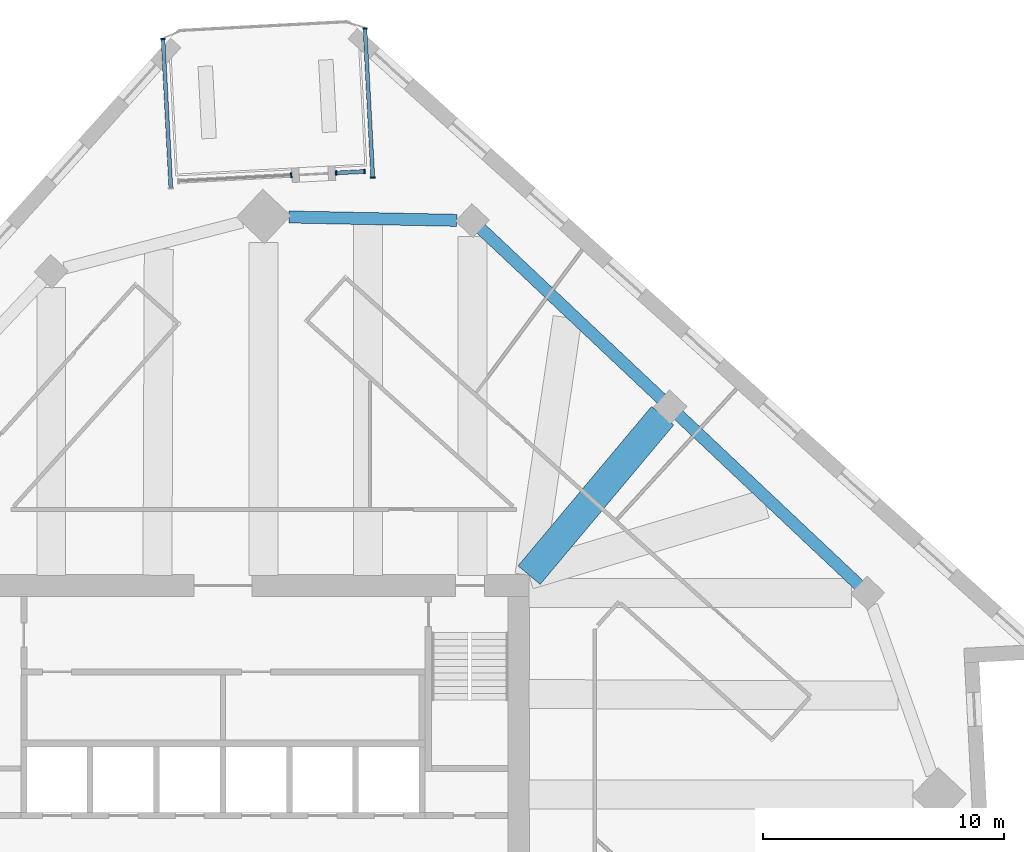
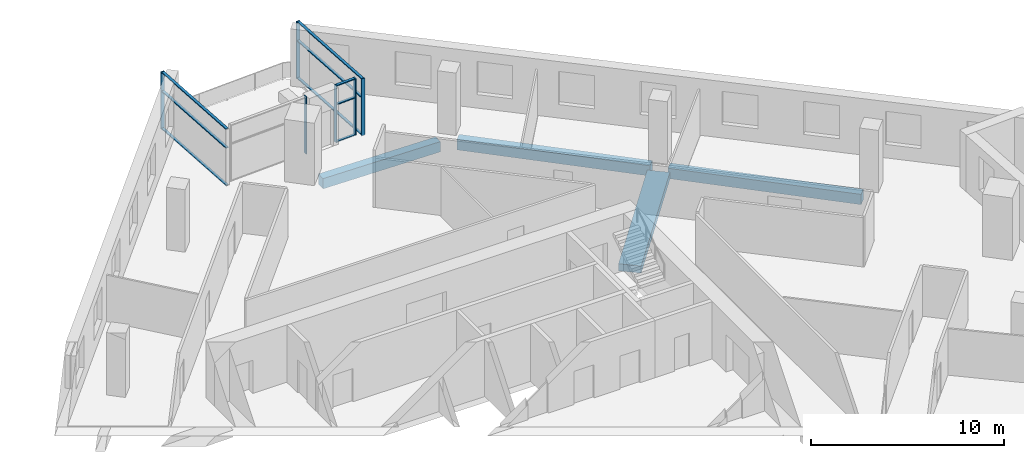
# One storey, part 4 of 12: 15 members, 4 beams, 4 elements without a shape of their own.
"""IFC4 building model written with IfcOpenShell, lengths in metres."""

from ifc_helpers import new_model, si_unit, direction, frame, origin, origin_2d, place, context, subcontext, project, spatial, rectangle, extrude, material, material_profile, profile_set, type_object, element, aggregate, save


model = new_model("IFC4")

# Units and contexts
model_context = context("Model", 3, precision=1e-05, world=origin(), true_north=direction((0.0, 1.0)))
body_context = subcontext(model_context, "Body", "Model", "MODEL_VIEW")
ifc_project = project(units=[si_unit("LENGTHUNIT", "METRE"), si_unit("AREAUNIT", "SQUARE_METRE"), si_unit("VOLUMEUNIT", "CUBIC_METRE"), si_unit("PLANEANGLEUNIT", "RADIAN"), si_unit("MASSUNIT", "GRAM", prefix="KILO")], contexts=[model_context])

# Site, building, storey
site_placement = place(None, origin())
site = spatial("IfcSite", under=ifc_project, at=site_placement, CompositionType="ELEMENT")
building_placement = place(site_placement, origin())
building = spatial("IfcBuilding", under=site, at=building_placement, Name="Dilmun Exchange Tower", CompositionType="ELEMENT")
storey_placement = place(building_placement, frame((0.0, 0.0, 217.300048828125)))
storey = spatial("IfcBuildingStorey", under=building, at=storey_placement, Name="L51", CompositionType="ELEMENT", Elevation=217.300048828125)

# Curtain wall, members
ifc_material_1 = material(Name="Anodised aluminium and clear glass", Category="aluminium")
curtain_wall_type = type_object("IfcCurtainWallType", Name="Garden corner glazing", PredefinedType="NOTDEFINED", material=ifc_material_1)
curtain_wall_1_placement = place(storey_placement, origin())
curtain_wall_1 = element("IfcCurtainWall", 1, at=curtain_wall_1_placement, inside=storey, type_object=curtain_wall_type, Name="Garden corner glazing run GC1.1", PredefinedType="NOTDEFINED")
ifc_material_2 = material(Name="Anodised aluminium", Category="aluminium")
ifc_material_profile_1 = material_profile(ifc_material_2, rectangle(XDim=0.199951171875, YDim=0.06005859375, at=origin_2d()), Name="AL 60x200")
ifc_profile_set_1 = profile_set([ifc_material_profile_1], Name="Anodised aluminium")
member_type_1 = type_object("IfcMemberType", Name="Garden corner glazing mullion 60 x 200", PredefinedType="MULLION", material=ifc_profile_set_1)
member_1_placement = place(storey_placement, frame((5.8837890625, 35.328125, 0.0), z_axis=(0.0, 0.0, 1.0), x_axis=(0.99862965596, 0.052333643452, 0.0)))
member_1 = element("IfcMember", 2, at=member_1_placement, type_object=member_type_1, Name="GC1.1 mullion 1", PredefinedType="MULLION", context=body_context, shape_type="SweptSolid", body=[
    extrude(rectangle(XDim=0.199951171875, YDim=0.06005859375, at=origin_2d()), origin(), (0.0, 0.0, 1.0), 3.619873046875),
])
member_2_placement = place(storey_placement, frame((6.20751953125, 29.150146484375, 0.0), z_axis=(0.0, 0.0, 1.0), x_axis=(0.99862965596, 0.052333643452, 0.0)))
member_2 = element("IfcMember", 3, at=member_2_placement, type_object=member_type_1, Name="GC1.1 mullion 2", PredefinedType="MULLION", context=body_context, shape_type="SweptSolid", body=[
    extrude(rectangle(XDim=0.199951171875, YDim=0.06005859375, at=origin_2d()), origin(), (0.0, 0.0, 1.0), 3.619873046875),
])

curtain_wall_2_placement = place(storey_placement, origin())
curtain_wall_2 = element("IfcCurtainWall", 4, at=curtain_wall_2_placement, inside=storey, type_object=curtain_wall_type, Name="Garden corner glazing run GC2.1", PredefinedType="NOTDEFINED")
member_3_placement = place(storey_placement, frame((5.86376953125, 29.402587890625, 0.0), z_axis=(0.0, 0.0, 1.0), x_axis=(0.052376691608, -0.998627399071, 0.0)))
member_3 = element("IfcMember", 5, at=member_3_placement, type_object=member_type_1, Name="GC2.1 mullion 1", PredefinedType="MULLION", context=body_context, shape_type="SweptSolid", body=[
    extrude(rectangle(XDim=0.199951171875, YDim=0.06005859375, at=origin_2d()), origin(), (0.0, 0.0, 1.0), 3.619873046875),
])
member_4_placement = place(storey_placement, frame((4.686279296875, 29.3408203125, 0.0), z_axis=(0.0, 0.0, 1.0), x_axis=(0.052376691608, -0.998627399071, 0.0)))
member_4 = element("IfcMember", 6, at=member_4_placement, type_object=member_type_1, Name="GC2.1 mullion 2", PredefinedType="MULLION", context=body_context, shape_type="SweptSolid", body=[
    extrude(rectangle(XDim=0.199951171875, YDim=0.06005859375, at=origin_2d()), origin(), (0.0, 0.0, 1.0), 3.619873046875),
])

# Curtain wall, member
curtain_wall_3_placement = place(storey_placement, origin())
curtain_wall_3 = element("IfcCurtainWall", 7, at=curtain_wall_3_placement, inside=storey, type_object=curtain_wall_type, Name="Garden corner glazing run GC2.3", PredefinedType="NOTDEFINED")
member_5_placement = place(storey_placement, frame((2.828857421875, 29.243408203125, 0.0), z_axis=(0.0, 0.0, 1.0), x_axis=(0.052330683595, -0.998629811068, 0.0)))
member_5 = element("IfcMember", 8, at=member_5_placement, type_object=member_type_1, Name="GC2.3 mullion 1", PredefinedType="MULLION", context=body_context, shape_type="SweptSolid", body=[
    extrude(rectangle(XDim=0.199951171875, YDim=0.06005859375, at=origin_2d()), origin(), (0.0, 0.0, 1.0), 3.619873046875),
])
aggregate(curtain_wall_3, [member_5])

curtain_wall_4_placement = place(storey_placement, origin())
curtain_wall_4 = element("IfcCurtainWall", 9, at=curtain_wall_4_placement, inside=storey, type_object=curtain_wall_type, Name="Garden corner glazing run GC3.1", PredefinedType="NOTDEFINED")
member_6_placement = place(storey_placement, frame((-2.48291015625, 34.8896484375, 0.0), z_axis=(0.0, 0.0, 1.0), x_axis=(-0.99862965596, -0.052333643452, 0.0)))
member_6 = element("IfcMember", 10, at=member_6_placement, type_object=member_type_1, Name="GC3.1 mullion 2", PredefinedType="MULLION", context=body_context, shape_type="SweptSolid", body=[
    extrude(rectangle(XDim=0.199951171875, YDim=0.06005859375, at=origin_2d()), origin(), (0.0, 0.0, 1.0), 3.619873046875),
])

# Member
ifc_material_profile_2 = material_profile(ifc_material_2, rectangle(XDim=0.159912109375, YDim=0.06005859375, at=origin_2d()), Name="AL 60x160")
ifc_profile_set_2 = profile_set([ifc_material_profile_2], Name="Anodised aluminium")
member_type_2 = type_object("IfcMemberType", Name="Garden corner glazing transom 60 x 160", PredefinedType="USERDEFINED", material=ifc_profile_set_2)
member_7_placement = place(storey_placement, frame((5.88525390625, 35.298095703125, 0.030029296875), z_axis=(0.05236431045, -0.99862804837, 0.0), x_axis=(0.99862804837, 0.05236431045, 0.0)))
member_7 = element("IfcMember", 11, at=member_7_placement, type_object=member_type_2, Name="GC1.1 transom 1.1", ObjectType="TRANSOM", PredefinedType="USERDEFINED", context=body_context, shape_type="SweptSolid", body=[
    extrude(rectangle(XDim=0.159912109375, YDim=0.06005859375, at=origin_2d()), origin(), (0.0, 0.0, 1.0), 6.126220703125),
])

member_8_placement = place(storey_placement, frame((5.88525390625, 35.298095703125, 2.39990234375), z_axis=(0.05236431045, -0.99862804837, 0.0), x_axis=(0.99862804837, 0.05236431045, 0.0)))
member_8 = element("IfcMember", 12, at=member_8_placement, type_object=member_type_2, Name="GC1.1 transom 1.2", ObjectType="TRANSOM", PredefinedType="USERDEFINED", context=body_context, shape_type="SweptSolid", body=[
    extrude(rectangle(XDim=0.159912109375, YDim=0.06005859375, at=origin_2d()), origin(), (0.0, 0.0, 1.0), 6.126220703125),
])

member_9_placement = place(storey_placement, frame((5.88525390625, 35.298095703125, 3.58984375), z_axis=(0.05236431045, -0.99862804837, 0.0), x_axis=(0.99862804837, 0.05236431045, 0.0)))
member_9 = element("IfcMember", 13, at=member_9_placement, type_object=member_type_2, Name="GC1.1 transom 1.3", ObjectType="TRANSOM", PredefinedType="USERDEFINED", context=body_context, shape_type="SweptSolid", body=[
    extrude(rectangle(XDim=0.159912109375, YDim=0.06005859375, at=origin_2d()), origin(), (0.0, 0.0, 1.0), 6.126220703125),
])

aggregate(curtain_wall_1, [member_1, member_2, member_7, member_8, member_9])

member_10_placement = place(storey_placement, frame((5.833984375, 29.40087890625, 0.030029296875), z_axis=(-0.998628654631, -0.052352747294, 0.0), x_axis=(0.052352747294, -0.998628654631, 0.0)))
member_10 = element("IfcMember", 14, at=member_10_placement, type_object=member_type_2, Name="GC2.1 transom 1.1", ObjectType="TRANSOM", PredefinedType="USERDEFINED", context=body_context, shape_type="SweptSolid", body=[
    extrude(rectangle(XDim=0.159912109375, YDim=0.06005859375, at=origin_2d()), origin(), (0.0, 0.0, 1.0), 1.119140625),
])

member_11_placement = place(storey_placement, frame((5.833984375, 29.40087890625, 2.39990234375), z_axis=(-0.998628654631, -0.052352747294, 0.0), x_axis=(0.052352747294, -0.998628654631, 0.0)))
member_11 = element("IfcMember", 15, at=member_11_placement, type_object=member_type_2, Name="GC2.1 transom 1.2", ObjectType="TRANSOM", PredefinedType="USERDEFINED", context=body_context, shape_type="SweptSolid", body=[
    extrude(rectangle(XDim=0.159912109375, YDim=0.06005859375, at=origin_2d()), origin(), (0.0, 0.0, 1.0), 1.119140625),
])

member_12_placement = place(storey_placement, frame((5.833984375, 29.40087890625, 3.58984375), z_axis=(-0.998628654631, -0.052352747294, 0.0), x_axis=(0.052352747294, -0.998628654631, 0.0)))
member_12 = element("IfcMember", 16, at=member_12_placement, type_object=member_type_2, Name="GC2.1 transom 1.3", ObjectType="TRANSOM", PredefinedType="USERDEFINED", context=body_context, shape_type="SweptSolid", body=[
    extrude(rectangle(XDim=0.159912109375, YDim=0.06005859375, at=origin_2d()), origin(), (0.0, 0.0, 1.0), 1.119140625),
])

aggregate(curtain_wall_2, [member_3, member_4, member_10, member_11, member_12])

member_13_placement = place(storey_placement, frame((-2.16064453125, 28.74169921875, 0.030029296875), z_axis=(-0.05236431045, 0.99862804837, 0.0), x_axis=(-0.99862804837, -0.05236431045, 0.0)))
member_13 = element("IfcMember", 17, at=member_13_placement, type_object=member_type_2, Name="GC3.1 transom 1.1", ObjectType="TRANSOM", PredefinedType="USERDEFINED", context=body_context, shape_type="SweptSolid", body=[
    extrude(rectangle(XDim=0.159912109375, YDim=0.06005859375, at=origin_2d()), origin(), (0.0, 0.0, 1.0), 6.126220703125),
])

member_14_placement = place(storey_placement, frame((-2.16064453125, 28.74169921875, 2.39990234375), z_axis=(-0.05236431045, 0.99862804837, 0.0), x_axis=(-0.99862804837, -0.05236431045, 0.0)))
member_14 = element("IfcMember", 18, at=member_14_placement, type_object=member_type_2, Name="GC3.1 transom 1.2", ObjectType="TRANSOM", PredefinedType="USERDEFINED", context=body_context, shape_type="SweptSolid", body=[
    extrude(rectangle(XDim=0.159912109375, YDim=0.06005859375, at=origin_2d()), origin(), (0.0, 0.0, 1.0), 6.126220703125),
])

member_15_placement = place(storey_placement, frame((-2.16064453125, 28.74169921875, 3.58984375), z_axis=(-0.05236431045, 0.99862804837, 0.0), x_axis=(-0.99862804837, -0.05236431045, 0.0)))
member_15 = element("IfcMember", 19, at=member_15_placement, type_object=member_type_2, Name="GC3.1 transom 1.3", ObjectType="TRANSOM", PredefinedType="USERDEFINED", context=body_context, shape_type="SweptSolid", body=[
    extrude(rectangle(XDim=0.159912109375, YDim=0.06005859375, at=origin_2d()), origin(), (0.0, 0.0, 1.0), 6.126220703125),
])

aggregate(curtain_wall_4, [member_6, member_13, member_14, member_15])

# Beams
ifc_material_3 = material(Name="Concrete C40/50", Category="concrete")
ifc_material_profile_3 = material_profile(ifc_material_3, rectangle(XDim=1.199951171875, YDim=0.449951171875, at=origin_2d()), Name="1200 x 450")
ifc_profile_set_3 = profile_set([ifc_material_profile_3], Name="Concrete C40/50")
beam_type_1 = type_object("IfcBeamType", Name="RC band beam 1200 x 450 C40/50", PredefinedType="BEAM", material=ifc_profile_set_3)
beam_1_placement = place(storey_placement, frame((18.2158203125, 19.28369140625, -0.705078125), z_axis=(-0.642200063897, -0.766537068856, 0.0), x_axis=(0.766537068856, -0.642200063897, 0.0)))
element("IfcBeam", 20, at=beam_1_placement, inside=storey, type_object=beam_type_1, Name="Band beam 15", PredefinedType="BEAM", context=body_context, shape_type="SweptSolid", body=[
    extrude(rectangle(XDim=1.199951171875, YDim=0.449951171875, at=origin_2d()), origin(), (0.0, 0.0, 1.0), 8.615966796875),
])
ifc_material_profile_4 = material_profile(ifc_material_3, rectangle(XDim=0.5, YDim=0.64990234375, at=origin_2d()), Name="500 x 650")
ifc_profile_set_4 = profile_set([ifc_material_profile_4], Name="Concrete C40/50")
beam_type_2 = type_object("IfcBeamType", Name="RC ring beam 500 x 650 C40/50", PredefinedType="SPANDREL", material=ifc_profile_set_4)
beam_2_placement = place(storey_placement, frame((26.36181640625, 12.25537109375, -0.705078125), z_axis=(-0.727685706374, 0.68591071776, 0.0), x_axis=(-0.68591071776, -0.727685706374, 0.0)))
element("IfcBeam", 21, at=beam_2_placement, inside=storey, type_object=beam_type_2, Name="Ring beam 14", PredefinedType="SPANDREL", context=body_context, shape_type="SweptSolid", body=[
    extrude(rectangle(XDim=0.5, YDim=0.64990234375, at=origin_2d()), origin(), (0.0, 0.0, 1.0), 10.30322265625),
])
beam_3_placement = place(storey_placement, frame((18.17578125, 19.971435546875, -0.705078125), z_axis=(-0.727682990869, 0.685913598641, 0.0), x_axis=(-0.685913598641, -0.727682990869, 0.0)))
element("IfcBeam", 22, at=beam_3_placement, inside=storey, type_object=beam_type_2, Name="Ring beam 15", PredefinedType="SPANDREL", context=body_context, shape_type="SweptSolid", body=[
    extrude(rectangle(XDim=0.5, YDim=0.64990234375, at=origin_2d()), origin(), (0.0, 0.0, 1.0), 10.3046875),
])
beam_4_placement = place(storey_placement, frame((9.685791015625, 27.376953125, -0.705078125), z_axis=(-0.999797424966, 0.020127320539, 0.0), x_axis=(-0.020127320539, -0.999797424966, 0.0)))
element("IfcBeam", 23, at=beam_4_placement, inside=storey, type_object=beam_type_2, Name="Ring beam 16", PredefinedType="SPANDREL", context=body_context, shape_type="SweptSolid", body=[
    extrude(rectangle(XDim=0.5, YDim=0.64990234375, at=origin_2d()), origin(), (0.0, 0.0, 1.0), 6.950439453125),
])

save(model, "model.ifc")
